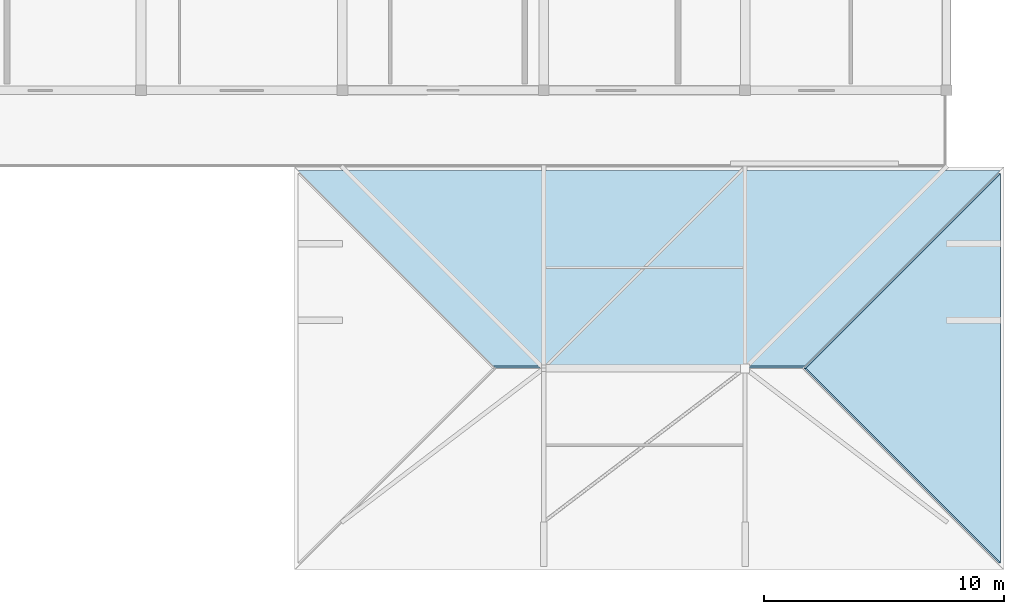
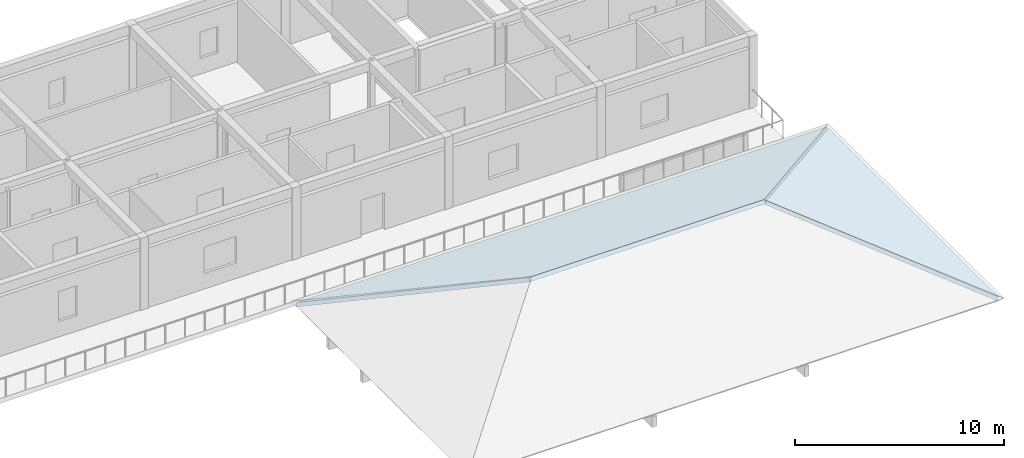
# One storey, part 11 of 22: 2 slabs.
"""IFC4 building model written with IfcOpenShell, lengths in metres."""

from ifc_helpers import new_model, si_unit, direction, frame, origin, place, context, subcontext, project, spatial, polyline, outline, extrude, material, layer, layer_set, type_object, element, save


model = new_model("IFC4")

# Units and contexts
model_context = context("Model", 3, precision=1e-05, world=origin(), true_north=direction((0.0, 1.0)))
body_context = subcontext(model_context, "Body", "Model", "MODEL_VIEW")
ifc_project = project(units=[si_unit("LENGTHUNIT", "METRE"), si_unit("AREAUNIT", "SQUARE_METRE"), si_unit("VOLUMEUNIT", "CUBIC_METRE"), si_unit("PLANEANGLEUNIT", "RADIAN"), si_unit("MASSUNIT", "GRAM", prefix="KILO")], contexts=[model_context])

# Site, building, storey
site_placement = place(None, origin())
site = spatial("IfcSite", under=ifc_project, at=site_placement, CompositionType="ELEMENT")
building_placement = place(site_placement, origin())
building = spatial("IfcBuilding", under=site, at=building_placement, Name="Varncliffe General Hospital", CompositionType="ELEMENT")
storey_placement = place(building_placement, frame((0.0, 0.0, 33.0)))
storey = spatial("IfcBuildingStorey", under=building, at=storey_placement, Name="L07", CompositionType="ELEMENT", Elevation=33.0)

# Slabs
ifc_material = material(Name="Concrete C35/45 (CSA A23.1 35 MPa)", Category="concrete")
ifc_layer = layer(ifc_material, 0.219970703125)
ifc_layer_set = layer_set([ifc_layer], Name="Concrete C35/45 (CSA A23.1 35 MPa)")
slab_type = type_object("IfcSlabType", Name="Roof Slab SL11 (Ext 220mm)", PredefinedType="ROOF", material=ifc_layer_set)
slab_1_placement = place(storey_placement, frame((178.659912109375, 105.860107421875, 0.0), z_axis=(0.0, 0.399535193722, 0.916717856801), x_axis=(-1.0, 0.0, 0.0)))
element("IfcSlab", 1, at=slab_1_placement, inside=storey, type_object=slab_type, Name="L07 RF-V6-SE2 Hipped Roof Slab N", PredefinedType="ROOF", context=body_context, shape_type="SweptSolid", body=[
    extrude(outline(polyline([(0.0, 0.0), (29.31982421875, 0.0), (21.158935546875, 8.90255682482282), (8.160888671875, 8.90255682482282), (0.0, 0.0)])), origin(), (0.0, 0.0, -1.0), 0.219970703125),
])
slab_2_placement = place(storey_placement, frame((178.659912109375, 89.47998046875, 0.0), z_axis=(0.399550380439, 0.0, 0.91671123779), x_axis=(0.0, 1.0, 0.0)))
element("IfcSlab", 2, at=slab_2_placement, inside=storey, type_object=slab_type, Name="L07 RF-V6-SE2 Hipped Roof Slab E", PredefinedType="ROOF", context=body_context, shape_type="SweptSolid", body=[
    extrude(outline(polyline([(0.0, 0.0), (16.239990234375, 0.0), (8.1201171875, 8.857612639773391), (0.0, 0.0)])), origin(), (0.0, 0.0, -1.0), 0.219970703125),
])

save(model, "model.ifc")
